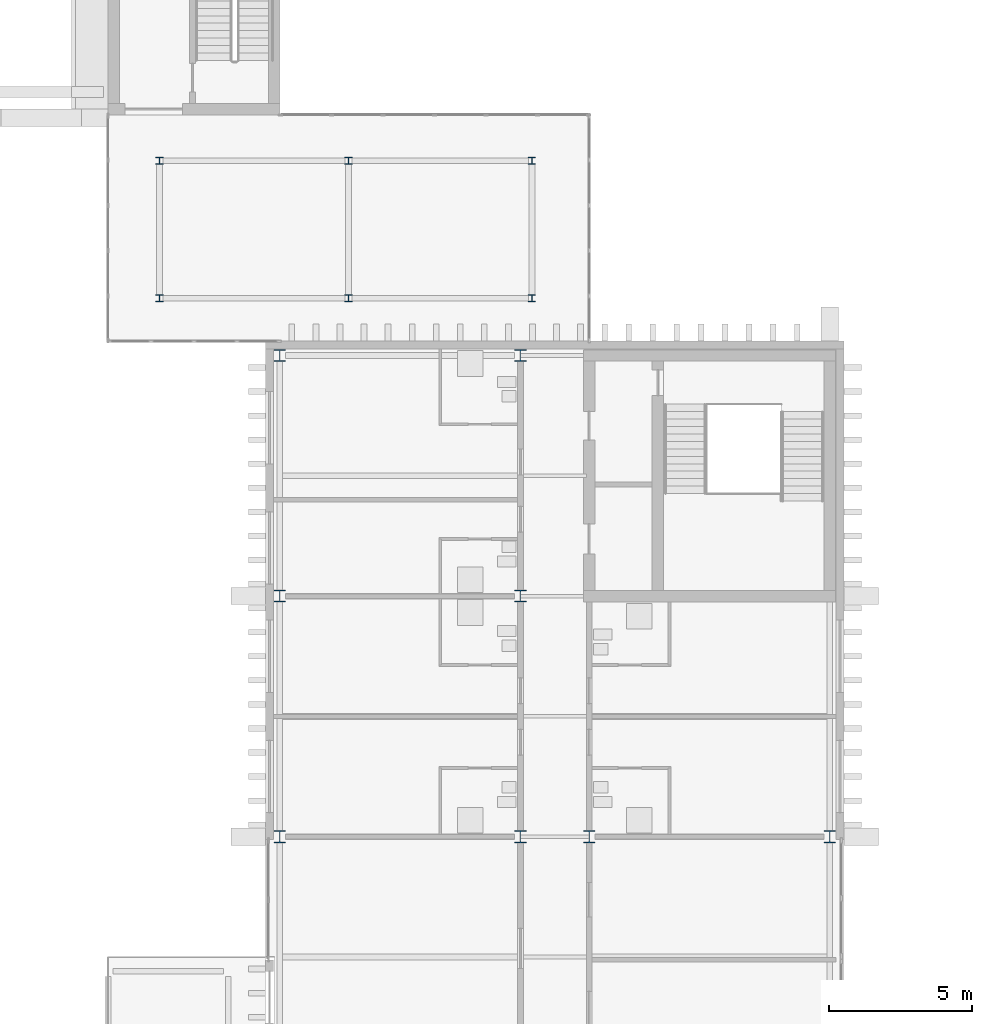
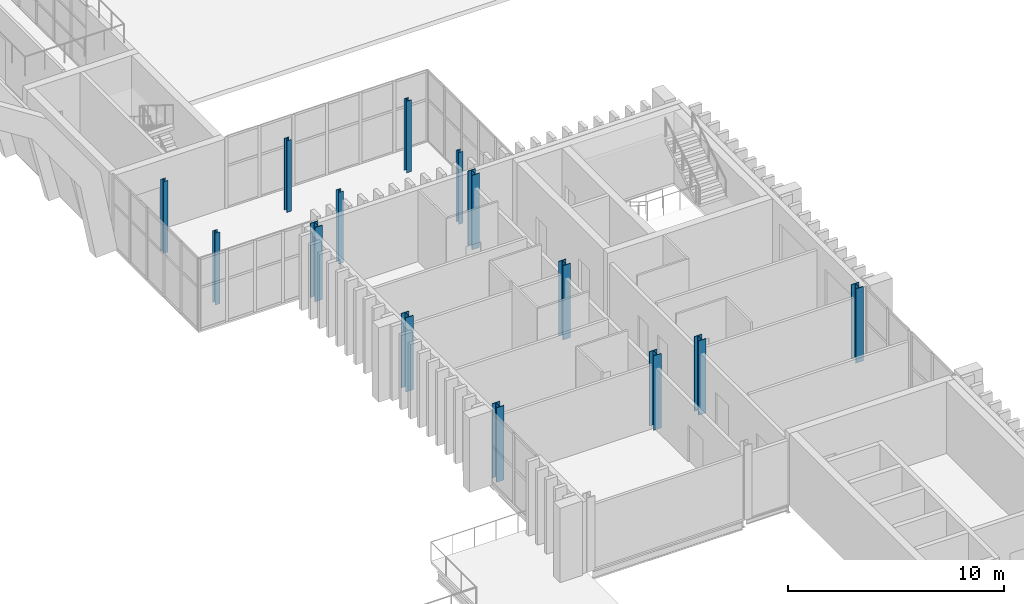
# One storey, part 12 of 96: 14 columns.
"""IFC4 building model written with IfcOpenShell, lengths in metres."""

from ifc_helpers import new_model, si_unit, direction, frame, origin, origin_2d, place, context, subcontext, project, spatial, i_section, extrude, material, material_profile, profile_set, type_object, element, save


model = new_model("IFC4")

# Units and contexts
model_context = context("Model", 3, precision=1e-05, world=origin(), true_north=direction((0.0, 1.0)))
body_context = subcontext(model_context, "Body", "Model", "MODEL_VIEW")
ifc_project = project(units=[si_unit("LENGTHUNIT", "METRE"), si_unit("AREAUNIT", "SQUARE_METRE"), si_unit("VOLUMEUNIT", "CUBIC_METRE"), si_unit("PLANEANGLEUNIT", "RADIAN"), si_unit("MASSUNIT", "GRAM", prefix="KILO")], contexts=[model_context])

# Site, building, storey
site_placement = place(None, origin())
site = spatial("IfcSite", under=ifc_project, at=site_placement, CompositionType="ELEMENT")
building_placement = place(site_placement, origin())
building = spatial("IfcBuilding", under=site, at=building_placement, Name="Cresset Court Congress Hotel", CompositionType="ELEMENT")
storey_placement = place(building_placement, frame((0.0, 0.0, 6.0)))
storey = spatial("IfcBuildingStorey", under=building, at=storey_placement, Name="L01", CompositionType="ELEMENT", Elevation=6.0)

# Columns
ifc_material_1 = material(Name="Structural steel Q355B", Category="steel")
ifc_material_profile_1 = material_profile(ifc_material_1, i_section(OverallWidth=0.25, OverallDepth=0.25, WebThickness=0.009033203125, FlangeThickness=0.013916015625, FilletRadius=0.012939453125, at=origin_2d()), Name="HW250x250x9x14")
ifc_profile_set_1 = profile_set([ifc_material_profile_1], Name="Structural steel Q355B")
column_type_1 = type_object("IfcColumnType", Name="Steel column HW250x250x9x14", PredefinedType="COLUMN", material=ifc_profile_set_1)
for number, where, z_axis, x_axis, name in (
    (1, (153.0, 69.199951171875, 0.0), (0.0, 0.0, 1.0), (1.0, 0.0, 0.0), "Link column 11"),
    (2, (153.0, 74.0, 0.0), (0.0, 0.0, 1.0), (1.0, 0.0, 0.0), "Link column 12"),
    (3, (159.60009765625, 69.199951171875, 0.0), (0.0, 0.0, 1.0), (1.0, 0.0, 0.0), "Link column 21"),
    (4, (159.60009765625, 74.0, 0.0), (0.0, 0.0, 1.0), (1.0, 0.0, 0.0), "Link column 22"),
    (5, (166.0, 69.199951171875, 0.0), (0.0, 0.0, 1.0), (1.0, 0.0, 0.0), "Link column 31"),
    (6, (166.0, 74.0, 0.0), (0.0, 0.0, 1.0), (1.0, 0.0, 0.0), "Link column 32"),
):
    element("IfcColumn", number, at=place(storey_placement, frame(where, z_axis=z_axis, x_axis=x_axis)), inside=storey, type_object=column_type_1, Name=name, PredefinedType="COLUMN", context=body_context, shape_type="SweptSolid", body=[
        extrude(i_section(OverallWidth=0.25, OverallDepth=0.25, WebThickness=0.009033203125, FlangeThickness=0.013916015625, FilletRadius=0.012939453125, at=origin_2d()), origin(), (0.0, 0.0, 1.0), 4.050048828125),
    ])
ifc_material_2 = material(Name="Structural steel Q355B", Category="steel")
ifc_material_profile_2 = material_profile(ifc_material_2, i_section(OverallWidth=0.406982421875, OverallDepth=0.427978515625, WebThickness=0.02001953125, FlangeThickness=0.034912109375, FilletRadius=0.02197265625, at=origin_2d()), Name="HW428x407x20x35")
ifc_profile_set_2 = profile_set([ifc_material_profile_2], Name="Structural steel Q355B")
column_type_2 = type_object("IfcColumnType", Name="Steel column HW428x407x20x35", PredefinedType="COLUMN", material=ifc_profile_set_2)
for number, where, z_axis, x_axis, name in (
    (7, (157.199951171875, 50.39990234375, 0.0), (0.0, 0.0, 1.0), (1.0, 0.0, 0.0), "Column L01 7-20"),
    (8, (157.199951171875, 58.800048828125, 0.0), (0.0, 0.0, 1.0), (1.0, 0.0, 0.0), "Column L01 8-20"),
    (9, (157.199951171875, 67.199951171875, 0.0), (0.0, 0.0, 1.0), (1.0, 0.0, 0.0), "Column L01 9-20"),
    (10, (165.60009765625, 50.39990234375, 0.0), (0.0, 0.0, 1.0), (1.0, 0.0, 0.0), "Column L01 7-21"),
    (11, (165.60009765625, 58.800048828125, 0.0), (0.0, 0.0, 1.0), (1.0, 0.0, 0.0), "Column L01 8-21"),
    (12, (165.60009765625, 67.199951171875, 0.0), (0.0, 0.0, 1.0), (1.0, 0.0, 0.0), "Column L01 9-21"),
    (13, (168.0, 50.39990234375, 0.0), (0.0, 0.0, 1.0), (1.0, 0.0, 0.0), "Column L01 7-22"),
    (14, (176.39990234375, 50.39990234375, 0.0), (0.0, 0.0, 1.0), (1.0, 0.0, 0.0), "Column L01 7-23"),
):
    element("IfcColumn", number, at=place(storey_placement, frame(where, z_axis=z_axis, x_axis=x_axis)), inside=storey, type_object=column_type_2, Name=name, PredefinedType="COLUMN", context=body_context, shape_type="SweptSolid", body=[
        extrude(i_section(OverallWidth=0.406982421875, OverallDepth=0.427978515625, WebThickness=0.02001953125, FlangeThickness=0.034912109375, FilletRadius=0.02197265625, at=origin_2d()), origin(), (0.0, 0.0, 1.0), 4.199951171875),
    ])

save(model, "model.ifc")
